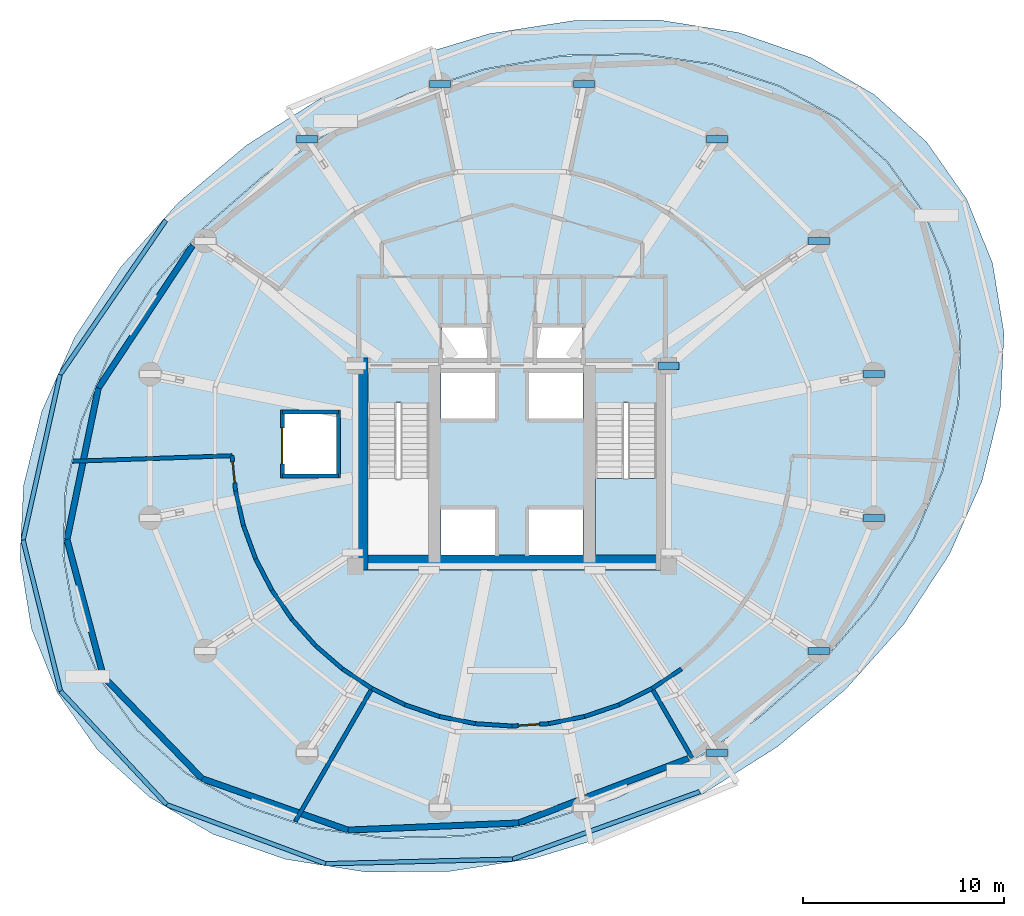
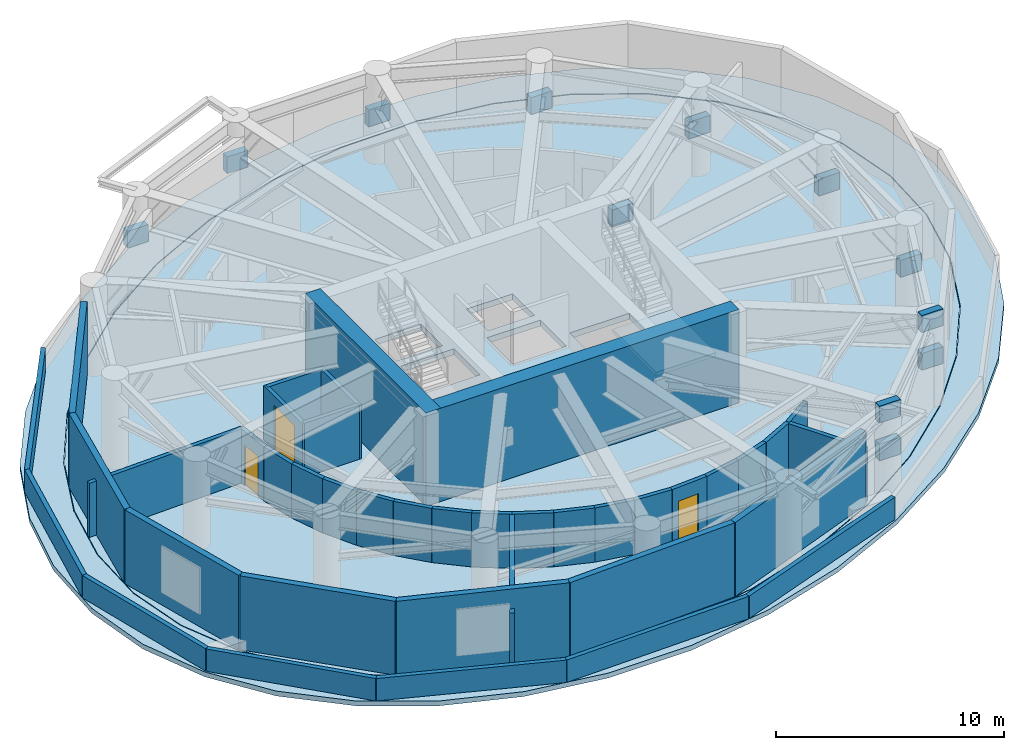
# One storey, part 3 of 7: 40 walls, 12 plates, 3 doors, 3 slabs, 3 openings, 1 element without a shape of its own.
"""IFC4 building model written with IfcOpenShell, lengths in metres."""

import ifcopenshell
import ifcopenshell.guid

model = None  # the IFC model being written
_history = None  # IfcOwnerHistory: only IFC2X3 demands one
_inside = {}  # id of a spatial element -> (the spatial element, [elements in it])
_under = {}  # id of a project, library or spatial element -> (it, [spatial elements below it])
_declared = {}  # id of a project -> (the project, [libraries it declares])
_typed = {}  # id of a type object -> (the type object, [elements of that type])
_made_of = {}  # id of a material, layer set ... -> (it, [elements and type objects made of it])


def new_model(schema):
    """Start an empty IFC model of exactly this schema.

    Asked for "IFC4X3", IfcOpenShell would pick the latest addendum, in which some entities
    have other attributes; the version numbers below select the first issue.
    IFC2X3 requires an IfcOwnerHistory on every rooted entity: one is made here for all.
    """
    global model, _history
    if schema == "IFC4X3":
        model = ifcopenshell.file(schema_version=(4, 3, 0, 0))
    else:
        model = ifcopenshell.file(schema=schema)
    _inside.clear()
    _under.clear()
    _declared.clear()
    _typed.clear()
    _made_of.clear()
    _history = None
    if model.schema == "IFC2X3":
        org = make("IfcOrganization", Name="unknown")
        user = make(
            "IfcPersonAndOrganization",
            ThePerson=make("IfcPerson", FamilyName="unknown"),
            TheOrganization=org,
        )
        app = make(
            "IfcApplication",
            ApplicationDeveloper=org,
            Version="unknown",
            ApplicationFullName="unknown",
            ApplicationIdentifier="unknown",
        )
        _history = make(
            "IfcOwnerHistory",
            OwningUser=user,
            OwningApplication=app,
            ChangeAction="ADDED",
            CreationDate=0,
        )
    return model


def make(cls, **values):
    """One entity of the class cls with the attributes given. An attribute that is None is left unset."""
    return model.create_entity(
        cls, **{name: value for name, value in values.items() if value is not None}
    )


def rooted(cls, **values):
    """An entity with a GlobalId (a new one), such as an element, a storey or a relation."""
    return make(cls, GlobalId=ifcopenshell.guid.new(), OwnerHistory=_history, **values)


def si_unit(unit_type, name, prefix=None):
    """IfcSIUnit, for example si_unit("LENGTHUNIT", "METRE", prefix="MILLI")."""
    return make("IfcSIUnit", UnitType=unit_type, Prefix=prefix, Name=name)


def assignment(units):
    """IfcUnitAssignment: the units of a project."""
    return None if units is None else make("IfcUnitAssignment", Units=units)


def point(xyz):
    """IfcCartesianPoint."""
    return None if xyz is None else make("IfcCartesianPoint", Coordinates=xyz)


def direction(xyz):
    """IfcDirection."""
    return None if xyz is None else make("IfcDirection", DirectionRatios=xyz)


def frame(location, z_axis=None, x_axis=None):
    """IfcAxis2Placement3D, a coordinate frame: its origin and axes. An axis left out is left unset."""
    return make(
        "IfcAxis2Placement3D",
        Location=point(location),
        Axis=direction(z_axis),
        RefDirection=direction(x_axis),
    )


def frame_2d(location, x_axis=None):
    """IfcAxis2Placement2D, a coordinate frame in the plane: its origin and x axis."""
    return make(
        "IfcAxis2Placement2D", Location=point(location), RefDirection=direction(x_axis)
    )


def origin():
    """The frame at (0, 0, 0) with its axes left unset."""
    return frame((0.0, 0.0, 0.0))


def origin_2d():
    """The frame at (0, 0) in the plane with its x axis left unset."""
    return frame_2d((0.0, 0.0))


def place(relative_to, where):
    """IfcLocalPlacement: puts the frame where relative to a parent placement (None: the world)."""
    return make(
        "IfcLocalPlacement", PlacementRelTo=relative_to, RelativePlacement=where
    )


def context(
    kind, dimensions, precision=None, world=None, true_north=None, identifier=None
):
    """IfcGeometricRepresentationContext, for example the 3D "Model" context."""
    return make(
        "IfcGeometricRepresentationContext",
        ContextIdentifier=identifier,
        ContextType=kind,
        CoordinateSpaceDimension=dimensions,
        Precision=precision,
        WorldCoordinateSystem=world,
        TrueNorth=true_north,
    )


def subcontext(parent, identifier, kind, view, scale=None):
    """IfcGeometricRepresentationSubContext, for example "Body" below "Model"."""
    return make(
        "IfcGeometricRepresentationSubContext",
        ContextIdentifier=identifier,
        ContextType=kind,
        ParentContext=parent,
        TargetScale=scale,
        TargetView=view,
    )


def project(units=None, contexts=None):
    """IfcProject with its units and contexts."""
    return rooted(
        "IfcProject",
        Name="project",
        RepresentationContexts=contexts,
        UnitsInContext=assignment(units),
    )


def spatial(cls, under=None, at=None, **own):
    """A site, building, storey or space (cls), placed at a placement, below another one or the project."""
    s = rooted(cls, ObjectPlacement=at, **own)
    if under is not None:
        _under.setdefault(under.id(), (under, []))[1].append(s)
    return s


def polyline(points):
    """IfcPolyline through the points."""
    return make("IfcPolyline", Points=[point(p) for p in points])


def profile(cls, at=None, kind="AREA", **sizes):
    """A parametric profile (cls). Its sizes go by their IFC names, for example OverallWidth=200.0."""
    return make(cls, ProfileType=kind, Position=at, **sizes)


def rectangle(**sizes):
    """IfcRectangleProfileDef."""
    return profile("IfcRectangleProfileDef", **sizes)


def outline(outer, holes=None, kind="AREA"):
    """IfcArbitraryClosedProfileDef: a profile drawn as a closed curve; with holes, ...WithVoids."""
    if holes is None:
        return make("IfcArbitraryClosedProfileDef", ProfileType=kind, OuterCurve=outer)
    return make(
        "IfcArbitraryProfileDefWithVoids",
        ProfileType=kind,
        OuterCurve=outer,
        InnerCurves=holes,
    )


def extrude(swept, where, along, depth):
    """IfcExtrudedAreaSolid: the profile swept, set in the frame where, extruded along a direction by depth."""
    return make(
        "IfcExtrudedAreaSolid",
        SweptArea=swept,
        Position=where,
        ExtrudedDirection=direction(along),
        Depth=depth,
    )


def shape(context_of_items, identifier, shape_type, items):
    """IfcShapeRepresentation: the items that make up one representation, for example the "Body"."""
    return make(
        "IfcShapeRepresentation",
        ContextOfItems=context_of_items,
        RepresentationIdentifier=identifier,
        RepresentationType=shape_type,
        Items=items,
    )


def material(Name=None, Category=None):
    """IfcMaterial."""
    return make("IfcMaterial", Name=Name, Category=Category)


def layer(
    of_material, thickness, ventilated=None, Name=None, Category=None, Priority=None
):
    """IfcMaterialLayer: one layer of a wall or slab, of a material (None: an air gap)."""
    return make(
        "IfcMaterialLayer",
        Material=of_material,
        LayerThickness=thickness,
        IsVentilated=ventilated,
        Name=Name,
        Category=Category,
        Priority=Priority,
    )


def layer_set(layers, Name=None):
    """IfcMaterialLayerSet."""
    return make("IfcMaterialLayerSet", MaterialLayers=layers, LayerSetName=Name)


def made_of(thing, what):
    """Note that an element or type object is made of a material, layer set ...; save() writes the relation."""
    if what is not None:
        _made_of.setdefault(what.id(), (what, []))[1].append(thing)
    return thing


def type_object(cls, material=None, **own):
    """A type object (cls), such as IfcWallType, which elements share."""
    return made_of(rooted(cls, **own), material)


def element(
    cls,
    number,
    at=None,
    inside=None,
    cuts=None,
    type_object=None,
    material=None,
    context=None,
    identifier="Body",
    shape_type=None,
    held_by="IfcProductDefinitionShape",
    body=None,
    shapes=None,
    **own,
):
    """One element of the class cls, such as IfcWall. Its Tag is "e" and its number.

    at: its placement. inside: the storey or other place that contains it. cuts: it is an
    opening in that element (IfcRelVoidsElement). A single representation is given by context,
    identifier, shape_type and body (its items); several are given by shapes. held_by: the class
    of the entity that holds the representations. save() writes the other relations.
    """
    e = rooted(cls, Tag="e%d" % number, ObjectPlacement=at, **own)
    if body is not None:
        shapes = [shape(context, identifier, shape_type, body)]
    if shapes is not None:
        e.Representation = make(held_by, Representations=shapes)
    if inside is not None:
        _inside.setdefault(inside.id(), (inside, []))[1].append(e)
    if cuts is not None:
        rooted(
            "IfcRelVoidsElement", RelatingBuildingElement=cuts, RelatedOpeningElement=e
        )
    if type_object is not None:
        _typed.setdefault(type_object.id(), (type_object, []))[1].append(e)
    return made_of(e, material)


def fill(opening, filler):
    """IfcRelFillsElement: the door or window that sits in an opening."""
    return rooted(
        "IfcRelFillsElement",
        RelatingOpeningElement=opening,
        RelatedBuildingElement=filler,
    )


def aggregate(whole, parts):
    """IfcRelAggregates: a whole, such as a stair, and the parts it consists of."""
    return rooted("IfcRelAggregates", RelatingObject=whole, RelatedObjects=parts)


def save(model, path):
    """Write the relations noted so far, then the file.

    IfcRelAggregates (storeys below a building ...), IfcRelContainedInSpatialStructure (elements
    in a storey), IfcRelDefinesByType, IfcRelAssociatesMaterial and IfcRelDeclares: one each for
    every whole, place, type object, material and project.
    """
    for whole, parts in _under.values():
        aggregate(whole, parts)
    for where, things in _inside.values():
        rooted(
            "IfcRelContainedInSpatialStructure",
            RelatedElements=things,
            RelatingStructure=where,
        )
    for kind, things in _typed.values():
        rooted("IfcRelDefinesByType", RelatedObjects=things, RelatingType=kind)
    for what, things in _made_of.values():
        rooted("IfcRelAssociatesMaterial", RelatedObjects=things, RelatingMaterial=what)
    for by, libraries in _declared.values():
        rooted("IfcRelDeclares", RelatingContext=by, RelatedDefinitions=libraries)
    model.write(path)


model = new_model("IFC4")

# Units and contexts
model_context = context("Model", 3, precision=1e-05, world=origin(), true_north=direction((0.0, 1.0)))
body_context = subcontext(model_context, "Body", "Model", "MODEL_VIEW")
ifc_project = project(units=[si_unit("LENGTHUNIT", "METRE"), si_unit("AREAUNIT", "SQUARE_METRE"), si_unit("VOLUMEUNIT", "CUBIC_METRE"), si_unit("PLANEANGLEUNIT", "RADIAN"), si_unit("MASSUNIT", "GRAM", prefix="KILO"), si_unit("THERMODYNAMICTEMPERATUREUNIT", "KELVIN"), si_unit("POWERUNIT", "WATT")], contexts=[model_context])

# Site, building, storey
site_placement = place(None, origin())
site = spatial("IfcSite", under=ifc_project, at=site_placement, CompositionType="ELEMENT")
building_placement = place(site_placement, origin())
building = spatial("IfcBuilding", under=site, at=building_placement, Name="Ocrelia Relay Tower", CompositionType="ELEMENT")
storey_placement = place(building_placement, frame((0.0, 0.0, 157.800048828125)))
storey = spatial("IfcBuildingStorey", under=building, at=storey_placement, Name="L37", CompositionType="ELEMENT", Elevation=157.800048828125)

# Plates
ifc_material_1 = material(Name="Steel S355", Category="steel")
ifc_layer_1 = layer(ifc_material_1, 0.035888671875, Name="Steel S355")
ifc_layer_set_1 = layer_set([ifc_layer_1], Name="Steel S355")
plate_type = type_object("IfcPlateType", Name="PL-NODE-ND-04", PredefinedType="USERDEFINED", material=ifc_layer_set_1)
for number, where, z_axis, x_axis, name in (
    (1, (41.800048828125, 30.0, 3.580078125), (0.0, 0.0, 1.0), (1.0, 0.0, 0.0), "L37 Core Link Cast-In Wall Plate ND-04 (02)"),
    (2, (44.222412109375, 10.700927734375, 3.929931640625), (0.0, 0.0, 1.0), (1.0, 0.0, 0.0), "L37 Outrigger Gusset Node ND-04 (14)"),
    (3, (49.299072265625, 15.777587890625, 3.929931640625), (0.0, 0.0, 1.0), (1.0, 0.0, 0.0), "L37 Outrigger Gusset Node ND-04 (15)"),
    (4, (52.04638671875, 29.589599609375, 1.89990234375), (0.0, 0.0, 1.0), (1.0, 0.0, 0.0), "L37 Setback Raker Lower Node ND-04 (01)"),
    (5, (49.299072265625, 36.222412109375, 1.89990234375), (0.0, 0.0, 1.0), (1.0, 0.0, 0.0), "L37 Setback Raker Lower Node ND-04 (02)"),
    (6, (44.222412109375, 41.299072265625, 1.89990234375), (0.0, 0.0, 1.0), (1.0, 0.0, 0.0), "L37 Setback Raker Lower Node ND-04 (03)"),
    (7, (37.589599609375, 44.04638671875, 1.89990234375), (0.0, 0.0, 1.0), (1.0, 0.0, 0.0), "L37 Setback Raker Lower Node ND-04 (04)"),
    (8, (30.410400390625, 44.04638671875, 1.89990234375), (0.0, 0.0, 1.0), (1.0, 0.0, 0.0), "L37 Setback Raker Lower Node ND-04 (05)"),
    (9, (23.777587890625, 41.299072265625, 1.89990234375), (0.0, 0.0, 1.0), (1.0, 0.0, 0.0), "L37 Setback Raker Lower Node ND-04 (06)"),
    (10, (44.222412109375, 10.700927734375, 1.89990234375), (0.0, 0.0, 1.0), (1.0, 0.0, 0.0), "L37 Setback Raker Lower Node ND-04 (14)"),
    (11, (49.299072265625, 15.777587890625, 1.89990234375), (0.0, 0.0, 1.0), (1.0, 0.0, 0.0), "L37 Setback Raker Lower Node ND-04 (15)"),
    (12, (52.04638671875, 22.410400390625, 1.89990234375), (0.0, 0.0, 1.0), (1.0, 0.0, 0.0), "L37 Setback Raker Lower Node ND-04 (16)"),
):
    element("IfcPlate", number, at=place(storey_placement, frame(where, z_axis=z_axis, x_axis=x_axis)), inside=storey, type_object=plate_type, Name=name, ObjectType="GUSSET PLATE", PredefinedType="USERDEFINED", context=body_context, shape_type="SweptSolid", body=[
        extrude(rectangle(XDim=1.06005859375, YDim=0.360107421875, at=origin_2d()), origin(), (0.0, 0.0, 1.0), 0.89990234375),
    ])

# Slab
ifc_material_2 = material(Name="Concrete C50/60", Category="concrete")
ifc_layer_2 = layer(ifc_material_2, 0.320068359375, Name="Concrete C50/60")
ifc_layer_set_2 = layer_set([ifc_layer_2], Name="Concrete C50/60")
slab_type_1 = type_object("IfcSlabType", Name="SL-FLR-320", PredefinedType="FLOOR", material=ifc_layer_set_2)
slab_1_placement = place(storey_placement, frame((0.0, 0.0, -0.320068359375)))
element("IfcSlab", 13, at=slab_1_placement, inside=storey, type_object=slab_type_1, Name="L37 Elliptical Tower Floor Slab", PredefinedType="FLOOR", context=body_context, shape_type="SweptSolid", body=[
    extrude(outline(polyline([(54.550537109375, 37.603271484375), (52.693115234375, 40.163818359375), (50.267578125, 42.294189453125), (47.34765625, 43.92919921875), (44.0224609375, 45.019775390625), (40.392578125, 45.5322265625), (36.568359375, 45.451171875), (32.666259765625, 44.779296875), (28.8046875, 43.53662109375), (25.100830078125, 41.76123046875), (21.66748046875, 39.5068359375), (18.60888671875, 36.842041015625), (16.017822265625, 33.847900390625), (13.973388671875, 30.615478515625), (12.537109375, 27.242431640625), (11.753173828125, 23.831787109375), (11.64501953125, 20.487060546875), (12.21630859375, 17.309814453125), (13.449462890625, 14.396728515625), (15.306884765625, 11.836181640625), (17.732421875, 9.705810546875), (20.65234375, 8.07080078125), (23.9775390625, 6.980224609375), (27.607421875, 6.4677734375), (31.431640625, 6.548828125), (35.333740234375, 7.220703125), (39.1953125, 8.46337890625), (42.899169921875, 10.23876953125), (46.33251953125, 12.4931640625), (49.39111328125, 15.157958984375), (51.982177734375, 18.152099609375), (54.026611328125, 21.384521484375), (55.462890625, 24.757568359375), (56.246826171875, 28.168212890625), (56.35498046875, 31.512939453125), (55.78369140625, 34.690185546875), (54.550537109375, 37.603271484375)]), holes=[polyline([(26.81005859375, 28.14990234375), (26.81005859375, 20.550048828125), (29.85009765625, 20.550048828125), (29.85009765625, 28.14990234375), (26.81005859375, 28.14990234375)]), polyline([(38.159912109375, 28.14990234375), (38.159912109375, 20.550048828125), (41.199951171875, 20.550048828125), (41.199951171875, 28.14990234375), (38.159912109375, 28.14990234375)]), polyline([(30.4599609375, 20.550048828125), (33.159912109375, 20.550048828125), (33.159912109375, 22.85009765625), (30.4599609375, 22.85009765625), (30.4599609375, 20.550048828125)]), polyline([(34.840087890625, 20.550048828125), (37.5400390625, 20.550048828125), (37.5400390625, 22.85009765625), (34.840087890625, 22.85009765625), (34.840087890625, 20.550048828125)]), polyline([(30.4599609375, 27.35009765625), (33.159912109375, 27.35009765625), (33.159912109375, 29.64990234375), (30.4599609375, 29.64990234375), (30.4599609375, 27.35009765625)]), polyline([(34.840087890625, 27.35009765625), (37.5400390625, 27.35009765625), (37.5400390625, 29.64990234375), (34.840087890625, 29.64990234375), (34.840087890625, 27.35009765625)]), polyline([(30.5, 30.10009765625), (32.85009765625, 30.10009765625), (32.85009765625, 32.0), (30.5, 32.0), (30.5, 30.10009765625)]), polyline([(35.14990234375, 30.10009765625), (37.5, 30.10009765625), (37.5, 32.0), (35.14990234375, 32.0), (35.14990234375, 30.10009765625)]), polyline([(22.550048828125, 24.5), (25.35009765625, 24.5), (25.35009765625, 27.699951171875), (22.550048828125, 27.699951171875), (22.550048828125, 24.5)])]), origin(), (0.0, 0.0, 1.0), 0.320068359375),
])

# Stair, slab
stair_type = type_object("IfcStairType", Name="ST-DL-1420-R179", PredefinedType="HALF_TURN_STAIR", material=ifc_material_2)
stair_placement = place(storey_placement, origin())
stair = element("IfcStair", 14, at=stair_placement, inside=storey, type_object=stair_type, Name="L37 East Core Exit Stair ST2", PredefinedType="HALF_TURN_STAIR")
ifc_layer_3 = layer(ifc_material_2, 0.199951171875, Name="Concrete C50/60")
ifc_layer_set_3 = layer_set([ifc_layer_3], Name="Concrete C50/60")
slab_type_2 = type_object("IfcSlabType", Name="SL-LANDING-200", PredefinedType="LANDING", material=ifc_layer_set_3)
slab_2_placement = place(storey_placement, frame((0.0, 0.0, 2.300048828125)))
slab_2 = element("IfcSlab", 15, at=slab_2_placement, type_object=slab_type_2, Name="ST2 landing 1", PredefinedType="LANDING", context=body_context, shape_type="SweptSolid", body=[
    extrude(outline(polyline([(38.159912109375, 24.3798828125), (38.159912109375, 20.550048828125), (41.199951171875, 20.550048828125), (41.199951171875, 24.3798828125), (38.159912109375, 24.3798828125)])), origin(), (0.0, 0.0, 1.0), 0.199951171875),
])
aggregate(stair, [slab_2])

# Slab
ifc_layer_4 = layer(ifc_material_2, 0.260009765625, Name="Concrete C50/60")
ifc_layer_set_4 = layer_set([ifc_layer_4], Name="Concrete C50/60")
slab_type_3 = type_object("IfcSlabType", Name="SL-ROOF-260", PredefinedType="ROOF", material=ifc_layer_set_4)
slab_3_placement = place(storey_placement, frame((0.0, 0.0, -0.260009765625)))
element("IfcSlab", 16, at=slab_3_placement, inside=storey, type_object=slab_type_3, Name="L37 Setback Maintenance Extensive Green Roof Slab", PredefinedType="ROOF", context=body_context, shape_type="SweptSolid", body=[
    extrude(outline(polyline([(56.673583984375, 38.310791015625), (54.6884765625, 41.145263671875), (52.07470703125, 43.51953125), (48.911865234375, 45.36181640625), (45.2958984375, 46.615478515625), (41.3369140625, 47.242919921875), (37.15478515625, 47.224609375), (32.876708984375, 46.561767578125), (28.633056640625, 45.27392578125), (24.55224609375, 43.400634765625), (20.758544921875, 40.99853515625), (17.3671875, 38.140625), (14.481201171875, 34.9140625), (12.1884765625, 31.41650390625), (10.55810546875, 27.75439453125), (9.640380859375, 24.038818359375), (9.462646484375, 20.383056640625), (10.030517578125, 16.89794921875), (11.326416015625, 13.689208984375), (13.3115234375, 10.854736328125), (15.92529296875, 8.48046875), (19.088134765625, 6.63818359375), (22.7041015625, 5.384521484375), (26.6630859375, 4.757080078125), (30.84521484375, 4.775390625), (35.123291015625, 5.438232421875), (39.366943359375, 6.72607421875), (43.44775390625, 8.599365234375), (47.241455078125, 11.00146484375), (50.6328125, 13.859375), (53.518798828125, 17.0859375), (55.8115234375, 20.58349609375), (57.44189453125, 24.24560546875), (58.359619140625, 27.961181640625), (58.537353515625, 31.616943359375), (57.969482421875, 35.10205078125), (56.673583984375, 38.310791015625)]), holes=[polyline([(54.57666015625, 37.617919921875), (52.71630859375, 40.18310546875), (50.287109375, 42.31689453125), (47.363037109375, 43.955078125), (44.032958984375, 45.0478515625), (40.39794921875, 45.561767578125), (36.568603515625, 45.481201171875), (32.661376953125, 44.808837890625), (28.794677734375, 43.56494140625), (25.086181640625, 41.787353515625), (21.6484375, 39.530029296875), (18.586181640625, 36.861572265625), (15.991943359375, 33.86328125), (13.9453125, 30.6259765625), (12.507568359375, 27.248046875), (11.72314453125, 23.832275390625), (11.615478515625, 20.482177734375), (12.18798828125, 17.2998046875), (13.42333984375, 14.382080078125), (15.28369140625, 11.81689453125), (17.712890625, 9.68310546875), (20.636962890625, 8.044921875), (23.967041015625, 6.9521484375), (27.60205078125, 6.438232421875), (31.431396484375, 6.518798828125), (35.338623046875, 7.191162109375), (39.205322265625, 8.43505859375), (42.913818359375, 10.212646484375), (46.3515625, 12.469970703125), (49.413818359375, 15.138427734375), (52.008056640625, 18.13671875), (54.0546875, 21.3740234375), (55.492431640625, 24.751953125), (56.27685546875, 28.167724609375), (56.384521484375, 31.517822265625), (55.81201171875, 34.7001953125), (54.57666015625, 37.617919921875)])]), origin(), (0.0, 0.0, 1.0), 0.260009765625),
])

# Walls
ifc_material_3 = material(Name="Concrete C60/75", Category="concrete")
ifc_layer_5 = layer(ifc_material_3, 0.75, Name="Concrete C60/75")
ifc_layer_set_5 = layer_set([ifc_layer_5], Name="Concrete C60/75")
wall_type_1 = type_object("IfcWallType", Name="CW-CORE-750", PredefinedType="SHEAR", material=ifc_layer_set_5)
wall_1_placement = place(storey_placement, frame((26.072021484375, 20.18701171875, 0.0), z_axis=(0.0, 0.0, 1.0), x_axis=(1.0, 0.0, 0.0)))
element("IfcWall", 17, at=wall_1_placement, inside=storey, type_object=wall_type_1, Name="L37 Core Shear Wall S", PredefinedType="SHEAR", context=body_context, shape_type="SweptSolid", body=[
    extrude(rectangle(XDim=15.865966796875, YDim=0.75, at=frame_2d((7.93310546875, 0.0))), origin(), (0.0, 0.0, 1.0), 5.0),
])
wall_2_placement = place(storey_placement, frame((26.447021484375, 19.81201171875, 0.0), z_axis=(0.0, 0.0, 1.0), x_axis=(0.0, 1.0, 0.0)))
element("IfcWall", 18, at=wall_2_placement, inside=storey, type_object=wall_type_1, Name="L37 Core Shear Wall W", PredefinedType="SHEAR", context=body_context, shape_type="SweptSolid", body=[
    extrude(rectangle(XDim=10.575927734375, YDim=0.75, at=frame_2d((5.2880859375, 0.0))), origin(), (0.0, 0.0, 1.0), 5.0),
])
ifc_material_4 = material(Name="Precast concrete C40/50 with oxide terracotta", Category="masonry")
ifc_layer_6 = layer(ifc_material_4, 0.300048828125, Name="Precast concrete C40/50 with oxide terracotta")
ifc_layer_set_6 = layer_set([ifc_layer_6], Name="Precast concrete C40/50 with oxide terracotta")
wall_type_2 = type_object("IfcWallType", Name="W-EXT-TERR-300", PredefinedType="SOLIDWALL", material=ifc_layer_set_6)
wall_3_placement = place(storey_placement, frame((18.0712890625, 35.997802734375, 0.0), z_axis=(0.0, 0.0, 1.0), x_axis=(-0.551590405687, -0.83411511457, 0.0)))
element("IfcWall", 19, at=wall_3_placement, inside=storey, type_object=wall_type_2, Name="L37 Plant Terracotta Wall 06", PredefinedType="SOLIDWALL", context=body_context, shape_type="SweptSolid", body=[
    extrude(rectangle(XDim=8.525634765625, YDim=0.300048828125, at=frame_2d((4.2626953125, 0.0))), origin(), (0.0, 0.0, 1.0), 3.9599609375),
])
wall_4_placement = place(storey_placement, frame((13.36865234375, 28.886474609375, 0.0), z_axis=(0.0, 0.0, 1.0), x_axis=(-0.202548018239, -0.979272332044, 0.0)))
element("IfcWall", 20, at=wall_4_placement, inside=storey, type_object=wall_type_2, Name="L37 Plant Terracotta Wall 07", PredefinedType="SOLIDWALL", context=body_context, shape_type="SweptSolid", body=[
    extrude(rectangle(XDim=7.710693359375, YDim=0.300048828125, at=frame_2d((3.85546875, 0.0))), origin(), (0.0, 0.0, 1.0), 3.9599609375),
])
wall_5_placement = place(storey_placement, frame((11.806884765625, 21.335693359375, 0.0), z_axis=(0.0, 0.0, 1.0), x_axis=(0.256672769659, -0.96649836488, 0.0)))
element("IfcWall", 21, at=wall_5_placement, inside=storey, type_object=wall_type_2, Name="L37 Plant Terracotta Wall 08", PredefinedType="SOLIDWALL", context=body_context, shape_type="SweptSolid", body=[
    extrude(rectangle(XDim=7.07763671875, YDim=0.300048828125, at=frame_2d((3.538818359375, 0.0))), origin(), (0.0, 0.0, 1.0), 3.9599609375),
])
wall_6_placement = place(storey_placement, frame((13.62353515625, 14.4951171875, 0.0), z_axis=(0.0, 0.0, 1.0), x_axis=(0.694983461071, -0.719025721959, 0.0)))
element("IfcWall", 22, at=wall_6_placement, inside=storey, type_object=wall_type_2, Name="L37 Plant Terracotta Wall 09", PredefinedType="SOLIDWALL", context=body_context, shape_type="SweptSolid", body=[
    extrude(rectangle(XDim=7.077880859375, YDim=0.300048828125, at=frame_2d((3.5390625, 0.0))), origin(), (0.0, 0.0, 1.0), 3.9599609375),
])
wall_7_placement = place(storey_placement, frame((18.54248046875, 9.406005859375, 0.0), z_axis=(0.0, 0.0, 1.0), x_axis=(0.943139881539, -0.33239609482, 0.0)))
element("IfcWall", 23, at=wall_7_placement, inside=storey, type_object=wall_type_2, Name="L37 Plant Terracotta Wall 10", PredefinedType="SOLIDWALL", context=body_context, shape_type="SweptSolid", body=[
    extrude(rectangle(XDim=7.710693359375, YDim=0.300048828125, at=frame_2d((3.85546875, 0.0))), origin(), (0.0, 0.0, 1.0), 3.9599609375),
])
wall_8_placement = place(storey_placement, frame((25.814697265625, 6.843017578125, 0.0), z_axis=(0.0, 0.0, 1.0), x_axis=(0.999138820353, 0.041492380795, 0.0)))
element("IfcWall", 24, at=wall_8_placement, inside=storey, type_object=wall_type_2, Name="L37 Plant Terracotta Wall 11", PredefinedType="SOLIDWALL", context=body_context, shape_type="SweptSolid", body=[
    extrude(rectangle(XDim=8.52587890625, YDim=0.300048828125, at=frame_2d((4.262939453125, 0.0))), origin(), (0.0, 0.0, 1.0), 3.9599609375),
])
wall_9_placement = place(storey_placement, frame((34.333251953125, 7.19677734375, 0.0), z_axis=(0.0, 0.0, 1.0), x_axis=(0.934842101479, 0.355063720058, 0.0)))
element("IfcWall", 25, at=wall_9_placement, inside=storey, type_object=wall_type_2, Name="L37 Plant Terracotta Wall 12", PredefinedType="SOLIDWALL", context=body_context, shape_type="SweptSolid", body=[
    extrude(rectangle(XDim=9.0576171875, YDim=0.300048828125, at=frame_2d((4.52880859375, 0.0))), origin(), (0.0, 0.0, 1.0), 3.9599609375),
])
ifc_layer_7 = layer(ifc_material_4, 0.219970703125, Name="Precast concrete C40/50 with oxide terracotta")
ifc_layer_set_7 = layer_set([ifc_layer_7], Name="Precast concrete C40/50 with oxide terracotta")
wall_type_3 = type_object("IfcWallType", Name="W-PARAPET-220", PredefinedType="PARAPET", material=ifc_layer_set_7)
wall_10_placement = place(storey_placement, frame((16.734619140625, 37.251708984375, 0.0), z_axis=(0.0, 0.0, 1.0), x_axis=(-0.564994156704, -0.825094905384, 0.0)))
element("IfcWall", 26, at=wall_10_placement, inside=storey, type_object=wall_type_3, Name="L37 Setback Green Roof Parapet 06", PredefinedType="PARAPET", context=body_context, shape_type="SweptSolid", body=[
    extrude(rectangle(XDim=9.336669921875, YDim=0.219970703125, at=frame_2d((4.66845703125, 0.0))), origin(), (0.0, 0.0, 1.0), 1.199951171875),
])
wall_11_placement = place(storey_placement, frame((11.45947265625, 29.548095703125, 0.0), z_axis=(0.0, 0.0, 1.0), x_axis=(-0.218230806459, -0.975897184704, 0.0)))
element("IfcWall", 27, at=wall_11_placement, inside=storey, type_object=wall_type_3, Name="L37 Setback Green Roof Parapet 07", PredefinedType="PARAPET", context=body_context, shape_type="SweptSolid", body=[
    extrude(rectangle(XDim=8.447509765625, YDim=0.219970703125, at=frame_2d((4.2236328125, 0.0))), origin(), (0.0, 0.0, 1.0), 1.199951171875),
])
wall_12_placement = place(storey_placement, frame((9.615966796875, 21.30419921875, 0.0), z_axis=(0.0, 0.0, 1.0), x_axis=(0.24088393818, -0.970553928603, 0.0)))
element("IfcWall", 28, at=wall_12_placement, inside=storey, type_object=wall_type_3, Name="L37 Setback Green Roof Parapet 08", PredefinedType="PARAPET", context=body_context, shape_type="SweptSolid", body=[
    extrude(rectangle(XDim=7.757568359375, YDim=0.219970703125, at=frame_2d((3.87890625, 0.0))), origin(), (0.0, 0.0, 1.0), 1.199951171875),
])
wall_13_placement = place(storey_placement, frame((11.484619140625, 13.775146484375, 0.0), z_axis=(0.0, 0.0, 1.0), x_axis=(0.682783463069, -0.730620792586, 0.0)))
element("IfcWall", 29, at=wall_13_placement, inside=storey, type_object=wall_type_3, Name="L37 Setback Green Roof Parapet 09", PredefinedType="PARAPET", context=body_context, shape_type="SweptSolid", body=[
    extrude(rectangle(XDim=7.75732421875, YDim=0.219970703125, at=frame_2d((3.878662109375, 0.0))), origin(), (0.0, 0.0, 1.0), 1.199951171875),
])
wall_14_placement = place(storey_placement, frame((16.78125, 8.107421875, 0.0), z_axis=(0.0, 0.0, 1.0), x_axis=(0.937313642392, -0.348486923408, 0.0)))
element("IfcWall", 30, at=wall_14_placement, inside=storey, type_object=wall_type_3, Name="L37 Setback Green Roof Parapet 10", PredefinedType="PARAPET", context=body_context, shape_type="SweptSolid", body=[
    extrude(rectangle(XDim=8.447509765625, YDim=0.219970703125, at=frame_2d((4.2236328125, 0.0))), origin(), (0.0, 0.0, 1.0), 1.199951171875),
])
wall_15_placement = place(storey_placement, frame((24.69921875, 5.16357421875, 0.0), z_axis=(0.0, 0.0, 1.0), x_axis=(0.999701071625, 0.024449282048, 0.0)))
element("IfcWall", 31, at=wall_15_placement, inside=storey, type_object=wall_type_3, Name="L37 Setback Green Roof Parapet 11", PredefinedType="PARAPET", context=body_context, shape_type="SweptSolid", body=[
    extrude(rectangle(XDim=9.33642578125, YDim=0.219970703125, at=frame_2d((4.668212890625, 0.0))), origin(), (0.0, 0.0, 1.0), 1.199951171875),
])
wall_16_placement = place(storey_placement, frame((34.032958984375, 5.391845703125, 0.0), z_axis=(0.0, 0.0, 1.0), x_axis=(0.94065150663, 0.339374045966, 0.0)))
element("IfcWall", 32, at=wall_16_placement, inside=storey, type_object=wall_type_3, Name="L37 Setback Green Roof Parapet 12", PredefinedType="PARAPET", context=body_context, shape_type="SweptSolid", body=[
    extrude(rectangle(XDim=9.91748046875, YDim=0.219970703125, at=frame_2d((4.958740234375, 0.0))), origin(), (0.0, 0.0, 1.0), 1.199951171875),
])

# Wall, opening, door
ifc_layer_8 = layer(ifc_material_2, 0.199951171875, Name="Concrete C50/60")
ifc_layer_set_8 = layer_set([ifc_layer_8], Name="Concrete C50/60")
wall_type_4 = type_object("IfcWallType", Name="W-SHAFT-EI120-200", PredefinedType="SOLIDWALL", material=ifc_layer_set_8)
wall_17_placement = place(storey_placement, frame((22.550048828125, 24.39990234375, 0.0), z_axis=(0.0, 0.0, 1.0), x_axis=(0.0, 1.0, 0.0)))
wall_17 = element("IfcWall", 33, at=wall_17_placement, inside=storey, type_object=wall_type_4, Name="L37 Goods Lift Shaft West Wall", PredefinedType="SOLIDWALL", context=body_context, shape_type="SweptSolid", body=[
    extrude(rectangle(XDim=3.400146484375, YDim=0.199951171875, at=frame_2d((1.7001953125, 0.0))), origin(), (0.0, 0.0, 1.0), 2.89990234375),
])
opening_1_placement = place(wall_17_placement, frame((0.699951171875, 0.0, 0.0)))
opening_1 = element("IfcOpeningElement", 34, at=opening_1_placement, cuts=wall_17, Name="Opening LD-GL1", PredefinedType="OPENING", context=body_context, shape_type="SweptSolid", body=[
    extrude(rectangle(XDim=1.800048828125, YDim=2.39990234375, at=frame_2d((0.89990234375, 1.199951171875))), frame((0.0, 0.10986328125, 0.0), z_axis=(0.0, -1.0, 0.0), x_axis=(1.0, 0.0, 0.0)), (0.0, 0.0, 1.0), 0.219970703125),
])
ifc_material_5 = material(Name="Heavy-duty stainless steel S355 goods landing door", Category="steel")
door_type_1 = type_object("IfcDoorType", Name="DR-GOODS-LAND-1800", OperationType="DOUBLE_DOOR_SLIDING", PredefinedType="USERDEFINED", material=ifc_material_5)
door_1_placement = place(opening_1_placement, origin())
door_1 = element("IfcDoor", 35, at=door_1_placement, inside=storey, type_object=door_type_1, Name="L37 Goods Lift GL1 Sliding Landing Door", ObjectType="LANDING DOOR", OperationType="DOUBLE_DOOR_SLIDING", OverallHeight=2.39990234375, OverallWidth=1.800048828125, PredefinedType="USERDEFINED", context=body_context, shape_type="SweptSolid", body=[
    extrude(rectangle(XDim=1.800048828125, YDim=2.39990234375, at=frame_2d((0.89990234375, 1.199951171875))), frame((0.0, 0.02490234375, 0.0), z_axis=(0.0, -1.0, 0.0), x_axis=(1.0, 0.0, 0.0)), (0.0, 0.0, 1.0), 0.050048828125),
])
fill(opening_1, door_1)

# Walls
wall_18_placement = place(storey_placement, frame((25.35009765625, 24.39990234375, 0.0), z_axis=(0.0, 0.0, 1.0), x_axis=(0.0, 1.0, 0.0)))
element("IfcWall", 36, at=wall_18_placement, inside=storey, type_object=wall_type_4, Name="L37 Goods Lift Shaft E Wall", PredefinedType="SOLIDWALL", context=body_context, shape_type="SweptSolid", body=[
    extrude(rectangle(XDim=3.400146484375, YDim=0.199951171875, at=frame_2d((1.7001953125, 0.0))), origin(), (0.0, 0.0, 1.0), 2.89990234375),
])
for number, where, z_axis, x_axis, name in (
    (37, (22.550048828125, 24.5, 0.0), (0.0, 0.0, 1.0), (1.0, 0.0, 0.0), "L37 Goods Lift Shaft S Wall"),
    (38, (22.550048828125, 27.699951171875, 0.0), (0.0, 0.0, 1.0), (1.0, 0.0, 0.0), "L37 Goods Lift Shaft N Wall"),
):
    element("IfcWall", number, at=place(storey_placement, frame(where, z_axis=z_axis, x_axis=x_axis)), inside=storey, type_object=wall_type_4, Name=name, PredefinedType="SOLIDWALL", context=body_context, shape_type="SweptSolid", body=[
        extrude(rectangle(XDim=2.800048828125, YDim=0.199951171875, at=frame_2d((1.39990234375, 0.0))), origin(), (0.0, 0.0, 1.0), 2.89990234375),
    ])
wall_19_placement = place(storey_placement, frame((27.014892578125, 13.901611328125, 0.0), z_axis=(0.0, 0.0, 1.0), x_axis=(-0.832666373331, 0.553774963973, 0.0)))
element("IfcWall", 39, at=wall_19_placement, inside=storey, type_object=wall_type_4, Name="L37 Adiabatic Chiller Plant Room Inner Wall 9", PredefinedType="SOLIDWALL", context=body_context, shape_type="SweptSolid", body=[
    extrude(rectangle(XDim=1.7666015625, YDim=0.199951171875, at=frame_2d((0.88330078125, 0.0))), origin(), (0.0, 0.0, 1.0), 2.89990234375),
])
wall_20_placement = place(storey_placement, frame((25.5439453125, 14.8798828125, 0.0), z_axis=(0.0, 0.0, 1.0), x_axis=(-0.756135802683, 0.654414736922, 0.0)))
element("IfcWall", 40, at=wall_20_placement, inside=storey, type_object=wall_type_4, Name="L37 Adiabatic Chiller Plant Room Inner Wall 10", PredefinedType="SOLIDWALL", context=body_context, shape_type="SweptSolid", body=[
    extrude(rectangle(XDim=1.766357421875, YDim=0.199951171875, at=frame_2d((0.88330078125, 0.0))), origin(), (0.0, 0.0, 1.0), 2.89990234375),
])
wall_21_placement = place(storey_placement, frame((24.208251953125, 16.035888671875, 0.0), z_axis=(0.0, 0.0, 1.0), x_axis=(-0.667497460352, 0.744612073784, 0.0)))
element("IfcWall", 41, at=wall_21_placement, inside=storey, type_object=wall_type_4, Name="L37 Adiabatic Chiller Plant Room Inner Wall 11", PredefinedType="SOLIDWALL", context=body_context, shape_type="SweptSolid", body=[
    extrude(rectangle(XDim=1.7666015625, YDim=0.199951171875, at=frame_2d((0.88330078125, 0.0))), origin(), (0.0, 0.0, 1.0), 2.89990234375),
])
for number, where, z_axis, x_axis, name in (
    (42, (23.029052734375, 17.351318359375, 0.0), (0.0, 0.0, 1.0), (-0.56818180369, 0.822903055016, 0.0), "L37 Adiabatic Chiller Plant Room Inner Wall 12"),
    (43, (22.025390625, 18.804931640625, 0.0), (0.0, 0.0, 1.0), (-0.459828947546, 0.888007510666, 0.0), "L37 Adiabatic Chiller Plant Room Inner Wall 13"),
):
    element("IfcWall", number, at=place(storey_placement, frame(where, z_axis=z_axis, x_axis=x_axis)), inside=storey, type_object=wall_type_4, Name=name, PredefinedType="SOLIDWALL", context=body_context, shape_type="SweptSolid", body=[
        extrude(rectangle(XDim=1.766357421875, YDim=0.199951171875, at=frame_2d((0.88330078125, 0.0))), origin(), (0.0, 0.0, 1.0), 2.89990234375),
    ])
for number, where, z_axis, x_axis, name in (
    (44, (21.213134765625, 20.37353515625, 0.0), (0.0, 0.0, 1.0), (-0.344116581363, 0.938926929229, 0.0), "L37 Adiabatic Chiller Plant Room Inner Wall 14"),
    (45, (20.605224609375, 22.0322265625, 0.0), (0.0, 0.0, 1.0), (-0.222779770731, 0.974868798225, 0.0), "L37 Adiabatic Chiller Plant Room Inner Wall 15"),
):
    element("IfcWall", number, at=place(storey_placement, frame(where, z_axis=z_axis, x_axis=x_axis)), inside=storey, type_object=wall_type_4, Name=name, PredefinedType="SOLIDWALL", context=body_context, shape_type="SweptSolid", body=[
        extrude(rectangle(XDim=1.7666015625, YDim=0.199951171875, at=frame_2d((0.88330078125, 0.0))), origin(), (0.0, 0.0, 1.0), 2.89990234375),
    ])

# Wall, opening, door
wall_22_placement = place(storey_placement, frame((20.211669921875, 23.75439453125, 0.0), z_axis=(0.0, 0.0, 1.0), x_axis=(-0.09798475659, 0.99518791566, 0.0)))
wall_22 = element("IfcWall", 46, at=wall_22_placement, inside=storey, type_object=wall_type_4, Name="L37 Adiabatic Chiller Plant Room Inner Wall 16", PredefinedType="SOLIDWALL", context=body_context, shape_type="SweptSolid", body=[
    extrude(rectangle(XDim=1.7666015625, YDim=0.199951171875, at=frame_2d((0.88330078125, 0.0))), origin(), (0.0, 0.0, 1.0), 2.89990234375),
])
opening_2_placement = place(wall_22_placement, frame((0.41259765625, 0.0, 0.0)))
opening_2 = element("IfcOpeningElement", 47, at=opening_2_placement, cuts=wall_22, Name="Opening D-FD90", PredefinedType="OPENING", context=body_context, shape_type="SweptSolid", body=[
    extrude(rectangle(XDim=1.050048828125, YDim=2.14990234375, at=frame_2d((0.52490234375, 1.074951171875))), frame((0.0, 0.10986328125, 0.0), z_axis=(0.0, -1.0, 0.0), x_axis=(1.0, 0.0, 0.0)), (0.0, 0.0, 1.0), 0.219970703125),
])
ifc_material_6 = material(Name="Steel S355 90-min fire door", Category="steel")
door_type_2 = type_object("IfcDoorType", Name="DR-STAIR-FD90-1050", OperationType="NOTDEFINED", PredefinedType="DOOR", material=ifc_material_6)
door_2_placement = place(opening_2_placement, origin())
door_2 = element("IfcDoor", 48, at=door_2_placement, inside=storey, type_object=door_type_2, Name="L37 Adiabatic Chiller Plant Room Fire Door", OperationType="SINGLE_SWING_RIGHT", OverallHeight=2.14990234375, OverallWidth=1.050048828125, PredefinedType="DOOR", context=body_context, shape_type="SweptSolid", body=[
    extrude(rectangle(XDim=1.050048828125, YDim=2.14990234375, at=frame_2d((0.52490234375, 1.074951171875))), frame((0.0, 0.02490234375, 0.0), z_axis=(0.0, -1.0, 0.0), x_axis=(1.0, 0.0, 0.0)), (0.0, 0.0, 1.0), 0.050048828125),
])
fill(opening_2, door_2)

# Walls
wall_23_placement = place(storey_placement, frame((20.03857421875, 25.512451171875, 0.0), z_axis=(0.0, 0.0, 1.0), x_axis=(-0.999390399859, -0.034911726823, 0.0)))
element("IfcWall", 49, at=wall_23_placement, inside=storey, type_object=wall_type_4, Name="L37 Adiabatic Chiller Plant Room Radial Wall R0", PredefinedType="SOLIDWALL", context=body_context, shape_type="SweptSolid", body=[
    extrude(rectangle(XDim=7.951171875, YDim=0.199951171875, at=frame_2d((3.9755859375, 0.0))), origin(), (0.0, 0.0, 1.0), 2.89990234375),
])
wall_24_placement = place(storey_placement, frame((27.014892578125, 13.901611328125, 0.0), z_axis=(0.0, 0.0, 1.0), x_axis=(-0.499982293576, -0.866035626352, 0.0)))
element("IfcWall", 50, at=wall_24_placement, inside=storey, type_object=wall_type_4, Name="L37 Adiabatic Chiller Plant Room Radial Wall R1", PredefinedType="SOLIDWALL", context=body_context, shape_type="SweptSolid", body=[
    extrude(rectangle(XDim=7.645263671875, YDim=0.199951171875, at=frame_2d((3.82275390625, 0.0))), origin(), (0.0, 0.0, 1.0), 2.89990234375),
])
for number, where, z_axis, x_axis, name in (
    (51, (40.985107421875, 13.901611328125, 0.0), (0.0, 0.0, 1.0), (-0.896898457254, -0.442236540073, 0.0), "L37 Air Handling Plant Room Inner Wall 9"),
    (52, (39.34619140625, 13.093505859375, 0.0), (0.0, 0.0, 1.0), (-0.946932235345, -0.321433261603, 0.0), "L37 Air Handling Plant Room Inner Wall 10"),
    (53, (37.61572265625, 12.506103515625, 0.0), (0.0, 0.0, 1.0), (-0.980765225525, -0.195191117626, 0.0), "L37 Air Handling Plant Room Inner Wall 11"),
):
    element("IfcWall", number, at=place(storey_placement, frame(where, z_axis=z_axis, x_axis=x_axis)), inside=storey, type_object=wall_type_4, Name=name, PredefinedType="SOLIDWALL", context=body_context, shape_type="SweptSolid", body=[
        extrude(rectangle(XDim=1.827392578125, YDim=0.199951171875, at=frame_2d((0.91357421875, 0.0))), origin(), (0.0, 0.0, 1.0), 2.89990234375),
    ])

# Wall, opening, door
wall_25_placement = place(storey_placement, frame((35.823486328125, 12.1494140625, 0.0), z_axis=(0.0, 0.0, 1.0), x_axis=(-0.997863664935, -0.065330744699, 0.0)))
wall_25 = element("IfcWall", 54, at=wall_25_placement, inside=storey, type_object=wall_type_4, Name="L37 Air Handling Plant Room Inner Wall 12", PredefinedType="SOLIDWALL", context=body_context, shape_type="SweptSolid", body=[
    extrude(rectangle(XDim=1.827392578125, YDim=0.199951171875, at=frame_2d((0.91357421875, 0.0))), origin(), (0.0, 0.0, 1.0), 2.89990234375),
])
opening_3_placement = place(wall_25_placement, frame((0.4580078125, 0.0, 0.0)))
opening_3 = element("IfcOpeningElement", 55, at=opening_3_placement, cuts=wall_25, Name="Opening D-FD90", PredefinedType="OPENING", context=body_context, shape_type="SweptSolid", body=[
    extrude(rectangle(XDim=1.050048828125, YDim=2.14990234375, at=frame_2d((0.52490234375, 1.074951171875))), frame((0.0, 0.10986328125, 0.0), z_axis=(0.0, -1.0, 0.0), x_axis=(1.0, 0.0, 0.0)), (0.0, 0.0, 1.0), 0.219970703125),
])
door_3_placement = place(opening_3_placement, origin())
door_3 = element("IfcDoor", 56, at=door_3_placement, inside=storey, type_object=door_type_2, Name="L37 Air Handling Plant Room Fire Door", OperationType="SINGLE_SWING_LEFT", OverallHeight=2.14990234375, OverallWidth=1.050048828125, PredefinedType="DOOR", context=body_context, shape_type="SweptSolid", body=[
    extrude(rectangle(XDim=1.050048828125, YDim=2.14990234375, at=frame_2d((0.52490234375, 1.074951171875))), frame((0.0, 0.02490234375, 0.0), z_axis=(0.0, -1.0, 0.0), x_axis=(1.0, 0.0, 0.0)), (0.0, 0.0, 1.0), 0.050048828125),
])
fill(opening_3, door_3)

# Walls
for number, where, z_axis, x_axis, name in (
    (57, (34.0, 12.030029296875, 0.0), (0.0, 0.0, 1.0), (-0.997863664935, 0.065330744699, 0.0), "L37 Air Handling Plant Room Inner Wall 13"),
    (58, (32.176513671875, 12.1494140625, 0.0), (0.0, 0.0, 1.0), (-0.980765225525, 0.195191117626, 0.0), "L37 Air Handling Plant Room Inner Wall 14"),
    (59, (30.38427734375, 12.506103515625, 0.0), (0.0, 0.0, 1.0), (-0.946932235345, 0.321433261603, 0.0), "L37 Air Handling Plant Room Inner Wall 15"),
    (60, (28.65380859375, 13.093505859375, 0.0), (0.0, 0.0, 1.0), (-0.896898457254, 0.442236540073, 0.0), "L37 Air Handling Plant Room Inner Wall 16"),
):
    element("IfcWall", number, at=place(storey_placement, frame(where, z_axis=z_axis, x_axis=x_axis)), inside=storey, type_object=wall_type_4, Name=name, PredefinedType="SOLIDWALL", context=body_context, shape_type="SweptSolid", body=[
        extrude(rectangle(XDim=1.827392578125, YDim=0.199951171875, at=frame_2d((0.91357421875, 0.0))), origin(), (0.0, 0.0, 1.0), 2.89990234375),
    ])
wall_26_placement = place(storey_placement, frame((40.985107421875, 13.901611328125, 0.0), z_axis=(0.0, 0.0, 1.0), x_axis=(0.499992362392, -0.866029813314, 0.0)))
element("IfcWall", 61, at=wall_26_placement, inside=storey, type_object=wall_type_4, Name="L37 Air Handling Plant Room Radial Wall R1", PredefinedType="SOLIDWALL", context=body_context, shape_type="SweptSolid", body=[
    extrude(rectangle(XDim=3.9931640625, YDim=0.199951171875, at=frame_2d((1.99658203125, 0.0))), origin(), (0.0, 0.0, 1.0), 2.89990234375),
])
wall_27_placement = place(storey_placement, frame((42.4560546875, 14.8798828125, 0.0), z_axis=(0.0, 0.0, 1.0), x_axis=(-0.832666373331, -0.553774963973, 0.0)))
element("IfcWall", 62, at=wall_27_placement, inside=storey, type_object=wall_type_4, Name="L37 Electrical Switchgear Plant Room Inner Wall 16", PredefinedType="SOLIDWALL", context=body_context, shape_type="SweptSolid", body=[
    extrude(rectangle(XDim=1.7666015625, YDim=0.199951171875, at=frame_2d((0.88330078125, 0.0))), origin(), (0.0, 0.0, 1.0), 2.89990234375),
])

save(model, "model.ifc")
